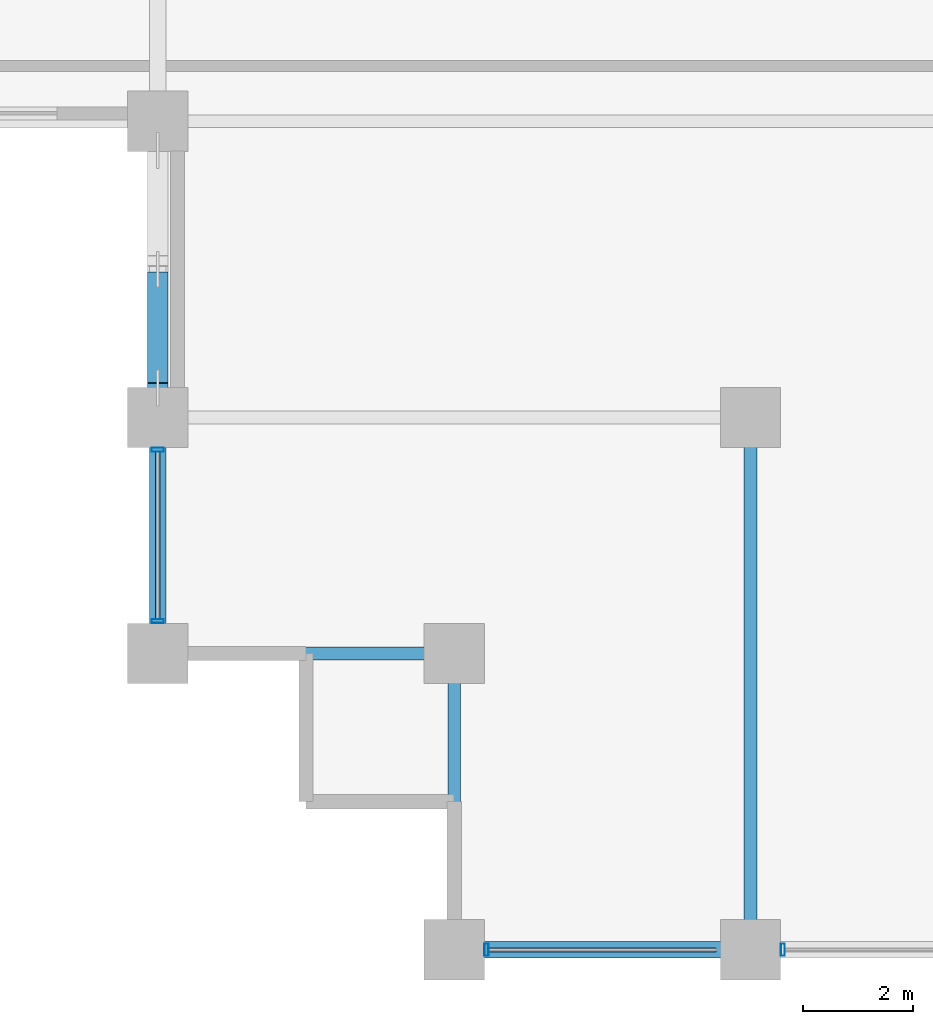
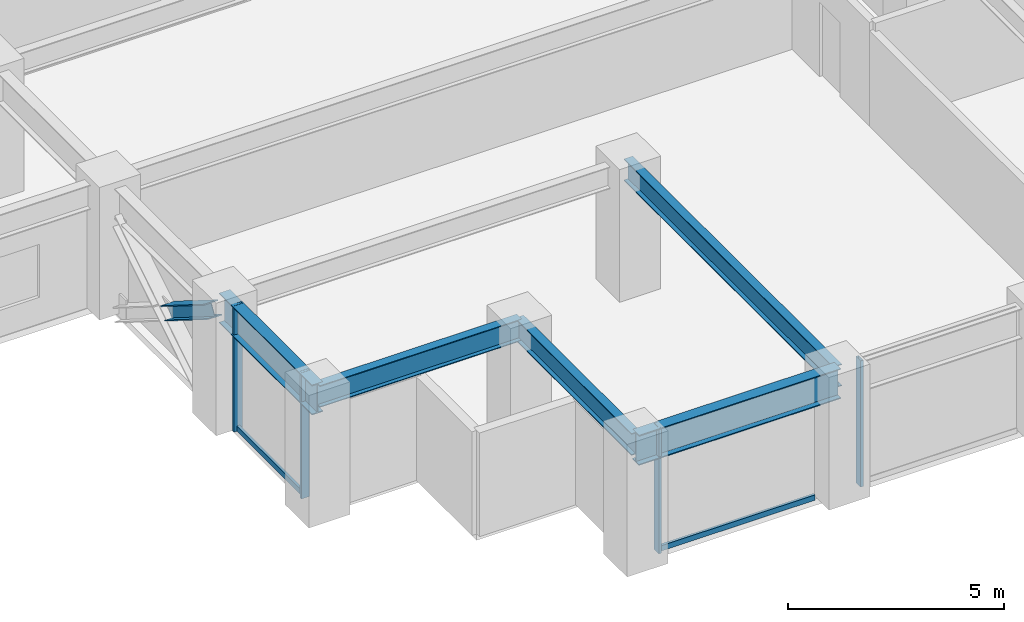
# One storey, part 2 of 29: 7 members, 5 beams, 2 elements without a shape of their own.
"""IFC4 building model written with IfcOpenShell, lengths in metres."""

from ifc_helpers import new_model, si_unit, direction, frame, origin, origin_2d, place, context, subcontext, project, spatial, hollow_rectangle, i_section, extrude, material, layer, layer_set, material_profile, profile_set, type_object, element, aggregate, save


model = new_model("IFC4")

# Units and contexts
model_context = context("Model", 3, precision=1e-05, world=origin(), true_north=direction((0.0, 1.0)))
body_context = subcontext(model_context, "Body", "Model", "MODEL_VIEW")
ifc_project = project(units=[si_unit("LENGTHUNIT", "METRE"), si_unit("AREAUNIT", "SQUARE_METRE"), si_unit("VOLUMEUNIT", "CUBIC_METRE"), si_unit("PLANEANGLEUNIT", "RADIAN"), si_unit("MASSUNIT", "GRAM", prefix="KILO")], contexts=[model_context])

# Site, building, storey
site_placement = place(None, origin())
site = spatial("IfcSite", under=ifc_project, at=site_placement, CompositionType="ELEMENT")
building_placement = place(site_placement, origin())
building = spatial("IfcBuilding", under=site, at=building_placement, Name="Surkhivell Harbour Commons", CompositionType="ELEMENT")
storey_placement = place(building_placement, frame((0.0, 0.0, 87.0)))
storey = spatial("IfcBuildingStorey", under=building, at=storey_placement, Name="L22", CompositionType="ELEMENT", Elevation=87.0)

# Beams
ifc_material_1 = material(Name="Steel S355", Category="steel")
ifc_material_profile_1 = material_profile(ifc_material_1, i_section(OverallWidth=0.22998046875, OverallDepth=0.616943359375, WebThickness=0.01318359375, FlangeThickness=0.022216796875, at=origin_2d()), Name="UB610x229x140")
ifc_profile_set_1 = profile_set([ifc_material_profile_1], Name="Steel S355")
beam_type_1 = type_object("IfcBeamType", Name="BM-GRD-610B", PredefinedType="BEAM", material=ifc_profile_set_1)
for number, where, z_axis, x_axis, name in (
    (1, (-32.39990234375, -20.5, 3.261474609375), (1.0, 0.0, 0.0), (0.0, 1.0, 0.0), "L22 Floor Girder (-32.4,-20.5)"),
    (2, (-27.0, -25.89990234375, 3.261474609375), (0.0, 1.0, 0.0), (-1.0, 0.0, 0.0), "L22 Floor Girder (-27.0,-25.9)"),
):
    element("IfcBeam", number, at=place(storey_placement, frame(where, z_axis=z_axis, x_axis=x_axis)), inside=storey, type_object=beam_type_1, Name=name, PredefinedType="BEAM", context=body_context, shape_type="SweptSolid", body=[
        extrude(i_section(OverallWidth=0.22998046875, OverallDepth=0.616943359375, WebThickness=0.01318359375, FlangeThickness=0.022216796875, at=origin_2d()), origin(), (0.0, 0.0, 1.0), 5.39990234375),
    ])
beam_1_placement = place(storey_placement, frame((-21.60009765625, -25.89990234375, 3.261474609375), z_axis=(0.0, 1.0, 0.0), x_axis=(-1.0, 0.0, 0.0)))
element("IfcBeam", 3, at=beam_1_placement, inside=storey, type_object=beam_type_1, Name="L22 Floor Girder (-21.6,-25.9)", PredefinedType="BEAM", context=body_context, shape_type="SweptSolid", body=[
    extrude(i_section(OverallWidth=0.22998046875, OverallDepth=0.616943359375, WebThickness=0.01318359375, FlangeThickness=0.022216796875, at=origin_2d()), origin(), (0.0, 0.0, 1.0), 9.699951171875),
])
ifc_material_2 = material(Name="Steel S460", Category="steel")
ifc_material_profile_2 = material_profile(ifc_material_2, i_section(OverallWidth=0.2939453125, OverallDepth=0.85107421875, WebThickness=0.01611328125, FlangeThickness=0.02685546875, at=origin_2d()), Name="UB838x292x226")
ifc_profile_set_2 = profile_set([ifc_material_profile_2], Name="Steel S460")
beam_type_2 = type_object("IfcBeamType", Name="BM-SPN-838", PredefinedType="SPANDREL", material=ifc_profile_set_2)
beam_2_placement = place(storey_placement, frame((-32.39990234375, -20.5, 3.14453125), z_axis=(0.0, 1.0, 0.0), x_axis=(-1.0, 0.0, 0.0)))
element("IfcBeam", 4, at=beam_2_placement, inside=storey, type_object=beam_type_2, Name="L22 Tube Spandrel (-32.4,-20.5)", PredefinedType="SPANDREL", context=body_context, shape_type="SweptSolid", body=[
    extrude(i_section(OverallWidth=0.2939453125, OverallDepth=0.85107421875, WebThickness=0.01611328125, FlangeThickness=0.02685546875, at=origin_2d()), origin(), (0.0, 0.0, 1.0), 4.300048828125),
])
beam_3_placement = place(storey_placement, frame((-27.0, -25.89990234375, 3.14453125), z_axis=(1.0, 0.0, 0.0), x_axis=(0.0, 1.0, 0.0)))
element("IfcBeam", 5, at=beam_3_placement, inside=storey, type_object=beam_type_2, Name="L22 Tube Spandrel (-27.0,-25.9)", PredefinedType="SPANDREL", context=body_context, shape_type="SweptSolid", body=[
    extrude(i_section(OverallWidth=0.2939453125, OverallDepth=0.85107421875, WebThickness=0.01611328125, FlangeThickness=0.02685546875, at=origin_2d()), origin(), (0.0, 0.0, 1.0), 5.39990234375),
])

# Curtain wall, members
ifc_material_3 = material(Name="Anodised pale-metal aluminium and insulated glazing", Category="aluminium")
ifc_layer = layer(ifc_material_3, 0.205078125)
ifc_layer_set = layer_set([ifc_layer], Name="Anodised pale-metal aluminium and insulated glazing")
curtain_wall_type = type_object("IfcCurtainWallType", Name="CW-SYS-Z2", PredefinedType="NOTDEFINED", material=ifc_layer_set)
curtain_wall_1_placement = place(storey_placement, origin())
curtain_wall_1 = element("IfcCurtainWall", 6, at=curtain_wall_1_placement, inside=storey, type_object=curtain_wall_type, Name="L22 Curtain Wall CW-L22-E00S1", PredefinedType="NOTDEFINED")
ifc_material_4 = material(Name="Anodised pale-metal aluminium alloy 6063-T6", Category="aluminium")
ifc_material_profile_3 = material_profile(ifc_material_4, hollow_rectangle(XDim=0.074951171875, YDim=0.219970703125, WallThickness=0.00390625, at=origin_2d()), Name="ALU-MULL-75x220")
ifc_profile_set_3 = profile_set([ifc_material_profile_3], Name="Anodised pale-metal aluminium alloy 6063-T6")
member_type_1 = type_object("IfcMemberType", Name="CWM-220", PredefinedType="MULLION", material=ifc_profile_set_3)
member_1_placement = place(storey_placement, frame((-26.410400390625, -25.89990234375, 0.0), z_axis=(0.0, 0.0, 1.0), x_axis=(1.0, 0.0, 0.0)))
member_1 = element("IfcMember", 7, at=member_1_placement, type_object=member_type_1, Name="CW-Z2 mullion 1", PredefinedType="MULLION", context=body_context, shape_type="SweptSolid", body=[
    extrude(hollow_rectangle(XDim=0.074951171875, YDim=0.219970703125, WallThickness=0.00390625, at=origin_2d()), origin(), (0.0, 0.0, 1.0), 3.570068359375),
])
member_2_placement = place(storey_placement, frame((-21.010498046875, -25.89990234375, 0.0), z_axis=(0.0, 0.0, 1.0), x_axis=(1.0, 0.0, 0.0)))
member_2 = element("IfcMember", 8, at=member_2_placement, type_object=member_type_1, Name="CW-Z2 mullion 2", PredefinedType="MULLION", context=body_context, shape_type="SweptSolid", body=[
    extrude(hollow_rectangle(XDim=0.074951171875, YDim=0.219970703125, WallThickness=0.00390625, at=origin_2d()), origin(), (0.0, 0.0, 1.0), 3.570068359375),
])

curtain_wall_2_placement = place(storey_placement, origin())
curtain_wall_2 = element("IfcCurtainWall", 9, at=curtain_wall_2_placement, inside=storey, type_object=curtain_wall_type, Name="L22 Curtain Wall CW-L22-E12R1S1", PredefinedType="NOTDEFINED")
member_3_placement = place(storey_placement, frame((-32.39990234375, -19.910400390625, 0.0), z_axis=(0.0, 0.0, 1.0), x_axis=(0.0, 1.0, 0.0)))
member_3 = element("IfcMember", 10, at=member_3_placement, type_object=member_type_1, Name="CW-Z2 mullion 1", PredefinedType="MULLION", context=body_context, shape_type="SweptSolid", body=[
    extrude(hollow_rectangle(XDim=0.074951171875, YDim=0.219970703125, WallThickness=0.00390625, at=origin_2d()), origin(), (0.0, 0.0, 1.0), 3.570068359375),
])
member_4_placement = place(storey_placement, frame((-32.39990234375, -16.78955078125, 0.0), z_axis=(0.0, 0.0, 1.0), x_axis=(0.0, 1.0, 0.0)))
member_4 = element("IfcMember", 11, at=member_4_placement, type_object=member_type_1, Name="CW-Z2 mullion 2", PredefinedType="MULLION", context=body_context, shape_type="SweptSolid", body=[
    extrude(hollow_rectangle(XDim=0.074951171875, YDim=0.219970703125, WallThickness=0.00390625, at=origin_2d()), origin(), (0.0, 0.0, 1.0), 3.570068359375),
])

# Member
ifc_material_profile_4 = material_profile(ifc_material_4, hollow_rectangle(XDim=0.074951171875, YDim=0.14990234375, WallThickness=0.00341796875, at=origin_2d()), Name="ALU-TRAN-75x150")
ifc_profile_set_4 = profile_set([ifc_material_profile_4], Name="Anodised pale-metal aluminium alloy 6063-T6")
member_type_2 = type_object("IfcMemberType", Name="CWT-150", PredefinedType="USERDEFINED", material=ifc_profile_set_4)
member_5_placement = place(storey_placement, frame((-26.373046875, -25.89990234375, 0.074951171875), z_axis=(1.0, 0.0, 0.0), x_axis=(0.0, 1.0, 0.0)))
member_5 = element("IfcMember", 12, at=member_5_placement, type_object=member_type_2, Name="CW-Z2 transom 1.1", ObjectType="TRANSOM", PredefinedType="USERDEFINED", context=body_context, shape_type="SweptSolid", body=[
    extrude(hollow_rectangle(XDim=0.074951171875, YDim=0.14990234375, WallThickness=0.00341796875, at=origin_2d()), origin(), (0.0, 0.0, 1.0), 4.14599609375),
])

aggregate(curtain_wall_1, [member_1, member_5, member_2])

member_6_placement = place(storey_placement, frame((-32.39990234375, -19.873046875, 0.074951171875), z_axis=(0.0, 1.0, 0.0), x_axis=(-1.0, 0.0, 0.0)))
member_6 = element("IfcMember", 13, at=member_6_placement, type_object=member_type_2, Name="CW-Z2 transom 1.1", ObjectType="TRANSOM", PredefinedType="USERDEFINED", context=body_context, shape_type="SweptSolid", body=[
    extrude(hollow_rectangle(XDim=0.074951171875, YDim=0.14990234375, WallThickness=0.00341796875, at=origin_2d()), origin(), (0.0, 0.0, 1.0), 3.046142578125),
])

aggregate(curtain_wall_2, [member_3, member_4, member_6])

ifc_material_profile_5 = material_profile(ifc_material_2, i_section(OverallWidth=0.375, OverallDepth=0.375, WebThickness=0.0166015625, FlangeThickness=0.027099609375, at=origin_2d()), Name="UC356x368x202")
ifc_profile_set_5 = profile_set([ifc_material_profile_5], Name="Steel S460")
member_type_3 = type_object("IfcMemberType", Name="MEM-BRC-UC356", PredefinedType="BRACE", material=ifc_profile_set_5)
member_7_placement = place(storey_placement, frame((-32.39990234375, -13.652587890625, 1.461181640625), z_axis=(0.0, -0.84725256761, 0.53119025469), x_axis=(1.0, 0.0, 0.0)))
element("IfcMember", 14, at=member_7_placement, inside=storey, type_object=member_type_3, Name="L22 Perimeter Mega-Brace MB- 12", PredefinedType="BRACE", context=body_context, shape_type="SweptSolid", body=[
    extrude(i_section(OverallWidth=0.375, OverallDepth=0.375, WebThickness=0.0166015625, FlangeThickness=0.027099609375, at=origin_2d()), origin(), (0.0, 0.0, 1.0), 2.375244140625),
])

save(model, "model.ifc")
